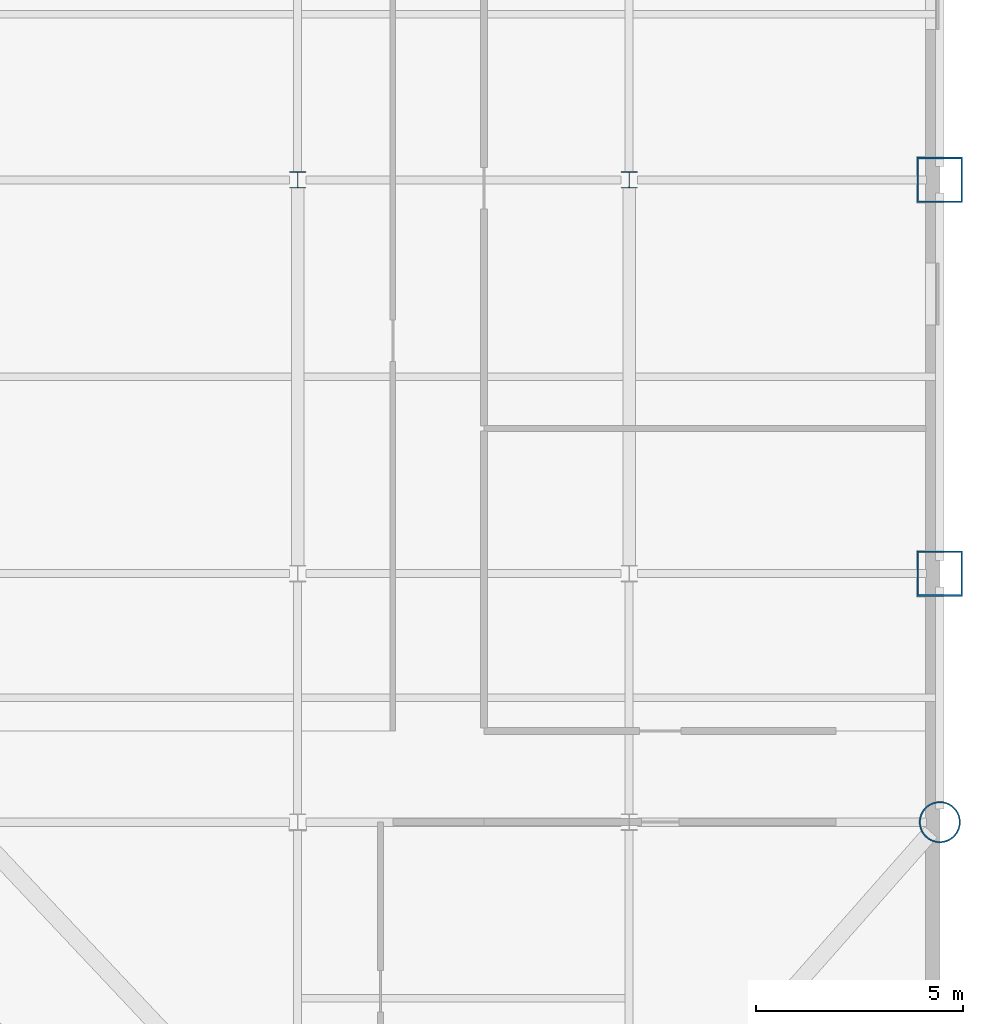
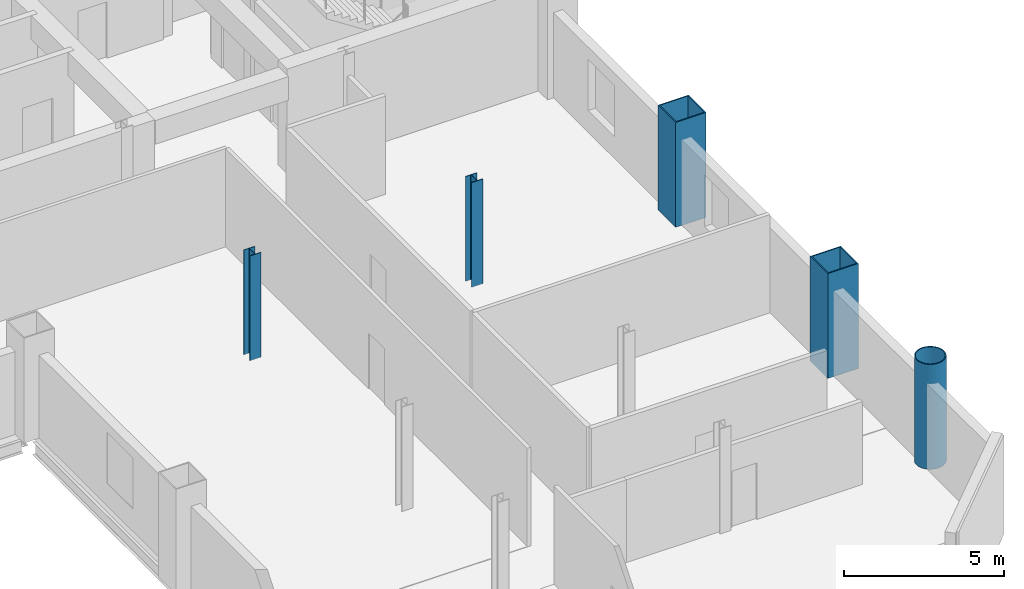
# One storey, part 2 of 9: 5 columns.
"""IFC4 building model written with IfcOpenShell, lengths in metres."""

from ifc_helpers import new_model, si_unit, direction, frame, origin, origin_2d, place, context, subcontext, project, spatial, hollow_rectangle, hollow_circle, i_section, extrude, material, material_profile, profile_set, type_object, element, save


model = new_model("IFC4")

# Units and contexts
model_context = context("Model", 3, precision=1e-05, world=origin(), true_north=direction((0.0, 1.0)))
body_context = subcontext(model_context, "Body", "Model", "MODEL_VIEW")
ifc_project = project(units=[si_unit("LENGTHUNIT", "METRE"), si_unit("AREAUNIT", "SQUARE_METRE"), si_unit("VOLUMEUNIT", "CUBIC_METRE"), si_unit("PLANEANGLEUNIT", "RADIAN"), si_unit("MASSUNIT", "GRAM", prefix="KILO")], contexts=[model_context])

# Site, building, storey
site_placement = place(None, origin())
site = spatial("IfcSite", under=ifc_project, at=site_placement, CompositionType="ELEMENT")
building_placement = place(site_placement, origin())
building = spatial("IfcBuilding", under=site, at=building_placement, Name="Qianrong Seaharbour Tower", CompositionType="ELEMENT")
storey_placement = place(building_placement, frame((0.0, 0.0, 143.0)))
storey = spatial("IfcBuildingStorey", under=building, at=storey_placement, Name="L34", CompositionType="ELEMENT", Elevation=143.0)

# Columns
ifc_material = material(Name="Structural steel SN490B", Category="steel")
ifc_material_profile_1 = material_profile(ifc_material, hollow_rectangle(XDim=1.10009765625, YDim=1.10009765625, WallThickness=0.0400390625, at=origin_2d()), Name="BOX1100x1100x40")
ifc_profile_set_1 = profile_set([ifc_material_profile_1], Name="Structural steel SN490B")
column_type_1 = type_object("IfcColumnType", Name="COL-CFT-1100", PredefinedType="COLUMN", material=ifc_profile_set_1)
for number, where, z_axis, x_axis, name in (
    (1, (64.0, 18.5, 0.0), (0.0, 0.0, 1.0), (1.0, 0.0, 0.0), "L34 Column MC-3 at G9/GD"),
    (2, (64.0, 28.0, 0.0), (0.0, 0.0, 1.0), (1.0, 0.0, 0.0), "L34 Column MC-3 at G9/GE"),
):
    element("IfcColumn", number, at=place(storey_placement, frame(where, z_axis=z_axis, x_axis=x_axis)), inside=storey, type_object=column_type_1, Name=name, PredefinedType="COLUMN", context=body_context, shape_type="SweptSolid", body=[
        extrude(hollow_rectangle(XDim=1.10009765625, YDim=1.10009765625, WallThickness=0.0400390625, at=origin_2d()), origin(), (0.0, 0.0, 1.0), 4.0),
    ])
ifc_material_profile_2 = material_profile(ifc_material, hollow_circle(Radius=0.5, WallThickness=0.035888671875, at=origin_2d()), Name="CHS1000x36")
ifc_profile_set_2 = profile_set([ifc_material_profile_2], Name="Structural steel SN490B")
column_type_2 = type_object("IfcColumnType", Name="COL-CHS-1000", PredefinedType="COLUMN", material=ifc_profile_set_2)
column_placement = place(storey_placement, frame((64.0, 12.5, 0.0), z_axis=(0.0, 0.0, 1.0), x_axis=(1.0, 0.0, 0.0)))
element("IfcColumn", 3, at=column_placement, inside=storey, type_object=column_type_2, Name="L34 Column CC-2 at G9/GC", PredefinedType="COLUMN", context=body_context, shape_type="SweptSolid", body=[
    extrude(hollow_circle(Radius=0.5, WallThickness=0.035888671875, at=origin_2d()), origin(), (0.0, 0.0, 1.0), 4.0),
])
ifc_material_profile_3 = material_profile(ifc_material, i_section(OverallWidth=0.39990234375, OverallDepth=0.39990234375, WebThickness=0.012939453125, FlangeThickness=0.02099609375, FilletRadius=0.02197265625, at=origin_2d()), Name="H400x400x13x21")
ifc_profile_set_3 = profile_set([ifc_material_profile_3], Name="Structural steel SN490B")
column_type_3 = type_object("IfcColumnType", Name="COL-INT-H400", PredefinedType="COLUMN", material=ifc_profile_set_3)
for number, where, z_axis, x_axis, name in (
    (4, (48.5, 28.0, 0.0), (0.0, 0.0, 1.0), (1.0, 0.0, 0.0), "L34 Column IC-3 at G7/GE"),
    (5, (56.5, 28.0, 0.0), (0.0, 0.0, 1.0), (1.0, 0.0, 0.0), "L34 Column IC-3 at G8/GE"),
):
    element("IfcColumn", number, at=place(storey_placement, frame(where, z_axis=z_axis, x_axis=x_axis)), inside=storey, type_object=column_type_3, Name=name, PredefinedType="COLUMN", context=body_context, shape_type="SweptSolid", body=[
        extrude(i_section(OverallWidth=0.39990234375, OverallDepth=0.39990234375, WebThickness=0.012939453125, FlangeThickness=0.02099609375, FilletRadius=0.02197265625, at=origin_2d()), origin(), (0.0, 0.0, 1.0), 4.0),
    ])

save(model, "model.ifc")
